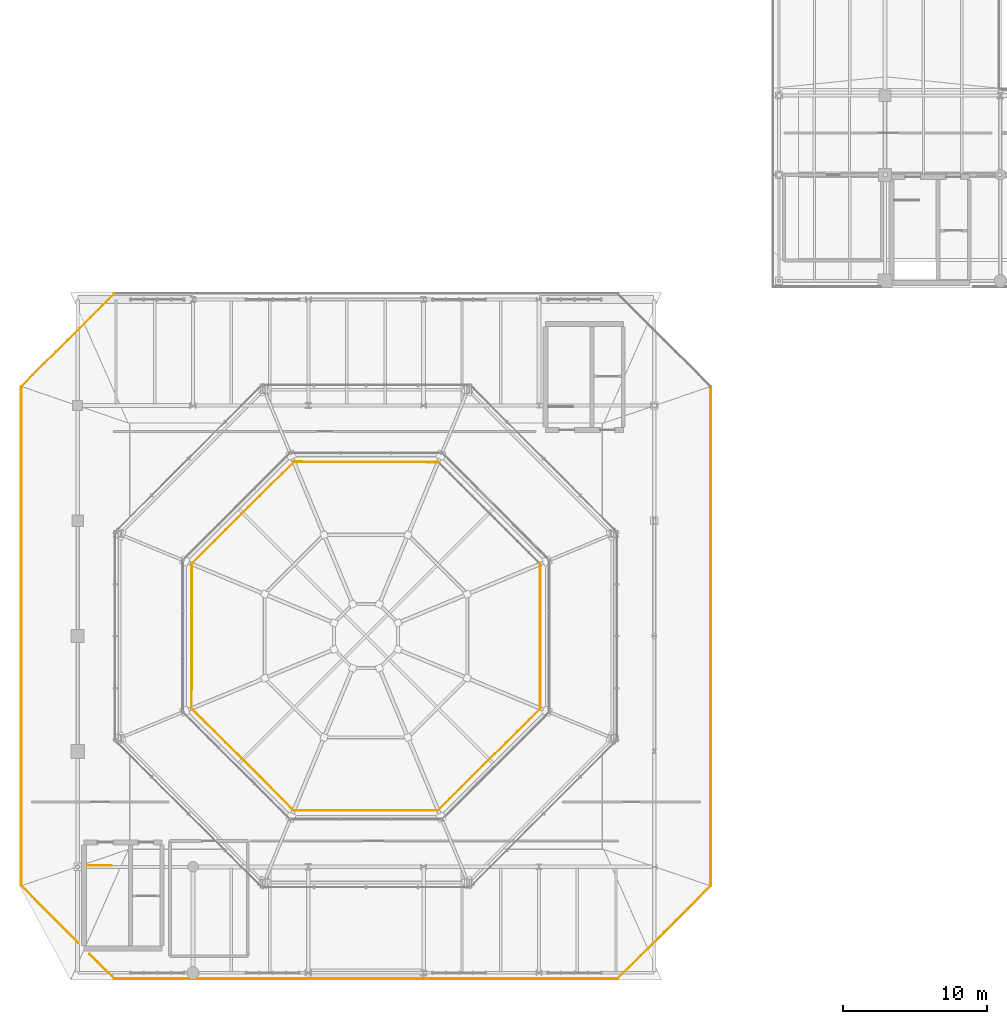
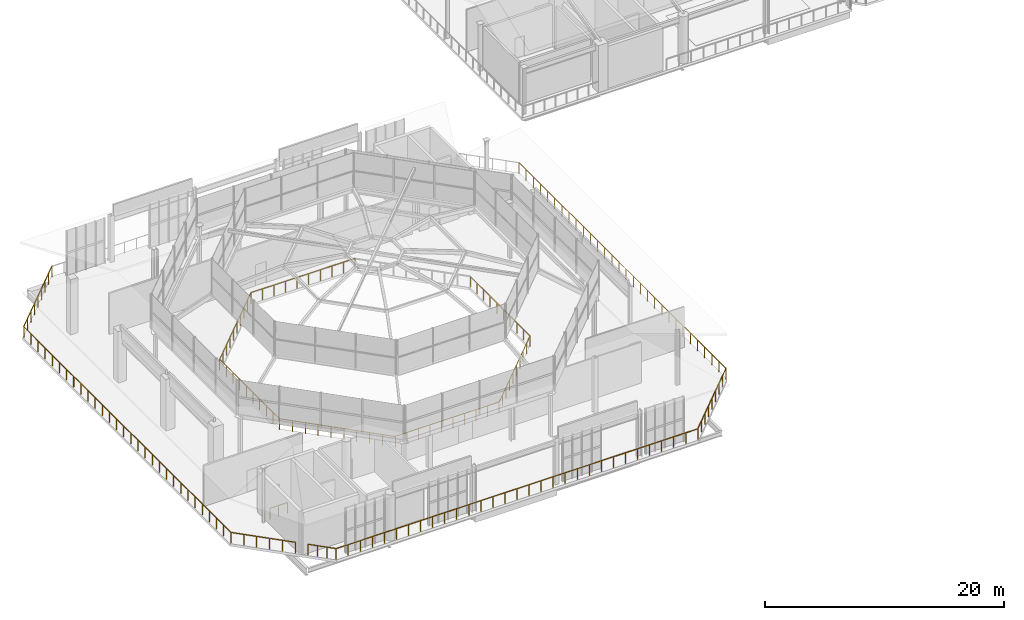
# One storey, part 28 of 30: 15 railings.
"""IFC4 building model written with IfcOpenShell, lengths in metres."""

from ifc_helpers import new_model, si_unit, direction, frame, origin, origin_2d, place, context, subcontext, project, spatial, circle, extrude, material, type_object, element, save


model = new_model("IFC4")

# Units and contexts
model_context = context("Model", 3, precision=1e-05, world=origin(), true_north=direction((0.0, 1.0)))
body_context = subcontext(model_context, "Body", "Model", "MODEL_VIEW")
ifc_project = project(units=[si_unit("LENGTHUNIT", "METRE"), si_unit("AREAUNIT", "SQUARE_METRE"), si_unit("VOLUMEUNIT", "CUBIC_METRE"), si_unit("PLANEANGLEUNIT", "RADIAN"), si_unit("MASSUNIT", "GRAM", prefix="KILO")], contexts=[model_context])

# Site, building, storey
site_placement = place(None, origin())
site = spatial("IfcSite", under=ifc_project, at=site_placement, CompositionType="ELEMENT")
building_placement = place(site_placement, origin())
building = spatial("IfcBuilding", under=site, at=building_placement, Name="Brisemont Oceanarium", CompositionType="ELEMENT")
storey_placement = place(building_placement, frame((0.0, 0.0, 19.800048828125)))
storey = spatial("IfcBuildingStorey", under=building, at=storey_placement, Name="L04", CompositionType="ELEMENT", Elevation=19.800048828125)

# Railings
ifc_material_1 = material(Name="Beaux-Arts Limestone Balustrade Precast Concrete C40/50", Category="masonry")
railing_type_1 = type_object("IfcRailingType", Name="RLG-BAL-1140", PredefinedType="BALUSTRADE", material=ifc_material_1)
railing_1_placement = place(storey_placement, frame((60.090087890625, 73.312744140625, 0.0)))
element("IfcRailing", 1, at=railing_1_placement, inside=storey, type_object=railing_type_1, Name="L04 slab perimeter safety guard 252", PredefinedType="BALUSTRADE", context=body_context, shape_type="SweptSolid", body=[
    extrude(circle(Radius=0.02392578125, at=origin_2d()), frame((0.0, 0.0, 1.11572265625), z_axis=(0.707106781187, 0.707106781187, 0.0), x_axis=(-0.707106781187, 0.707106781187, 0.0)), (0.0, 0.0, 1.0), 9.117919921875),
    extrude(circle(Radius=0.02099609375, at=origin_2d()), origin(), (0.0, 0.0, 1.0), 1.091796875),
    extrude(circle(Radius=0.02099609375, at=origin_2d()), frame((0.805908203125, 0.805908203125, 0.0)), (0.0, 0.0, 1.0), 1.091796875),
    extrude(circle(Radius=0.02099609375, at=origin_2d()), frame((1.61181640625, 1.61181640625, 0.0)), (0.0, 0.0, 1.0), 1.091796875),
    extrude(circle(Radius=0.02099609375, at=origin_2d()), frame((2.417724609375, 2.417724609375, 0.0)), (0.0, 0.0, 1.0), 1.091796875),
    extrude(circle(Radius=0.02099609375, at=origin_2d()), frame((3.2236328125, 3.2236328125, 0.0)), (0.0, 0.0, 1.0), 1.091796875),
    extrude(circle(Radius=0.02099609375, at=origin_2d()), frame((4.029541015625, 4.029541015625, 0.0)), (0.0, 0.0, 1.0), 1.091796875),
    extrude(circle(Radius=0.02099609375, at=origin_2d()), frame((4.83544921875, 4.83544921875, 0.0)), (0.0, 0.0, 1.0), 1.091796875),
    extrude(circle(Radius=0.02099609375, at=origin_2d()), frame((5.641357421875, 5.641357421875, 0.0)), (0.0, 0.0, 1.0), 1.091796875),
    extrude(circle(Radius=0.02099609375, at=origin_2d()), frame((6.447265625, 6.447265625, 0.0)), (0.0, 0.0, 1.0), 1.091796875),
])
railing_2_placement = place(storey_placement, frame((107.909912109375, 38.687255859375, 0.0)))
element("IfcRailing", 2, at=railing_2_placement, inside=storey, type_object=railing_type_1, Name="L04 slab perimeter safety guard 256", PredefinedType="BALUSTRADE", context=body_context, shape_type="SweptSolid", body=[
    extrude(circle(Radius=0.02392578125, at=origin_2d()), frame((0.0, 0.0, 1.11572265625), z_axis=(-0.707106781187, -0.707106781187, 0.0), x_axis=(0.707106781187, -0.707106781187, 0.0)), (0.0, 0.0, 1.0), 9.117919921875),
    extrude(circle(Radius=0.02099609375, at=origin_2d()), origin(), (0.0, 0.0, 1.0), 1.091796875),
    extrude(circle(Radius=0.02099609375, at=origin_2d()), frame((-0.805908203125, -0.805908203125, 0.0)), (0.0, 0.0, 1.0), 1.091796875),
    extrude(circle(Radius=0.02099609375, at=origin_2d()), frame((-1.61181640625, -1.61181640625, 0.0)), (0.0, 0.0, 1.0), 1.091796875),
    extrude(circle(Radius=0.02099609375, at=origin_2d()), frame((-2.417724609375, -2.417724609375, 0.0)), (0.0, 0.0, 1.0), 1.091796875),
    extrude(circle(Radius=0.02099609375, at=origin_2d()), frame((-3.2236328125, -3.2236328125, 0.0)), (0.0, 0.0, 1.0), 1.091796875),
    extrude(circle(Radius=0.02099609375, at=origin_2d()), frame((-4.029541015625, -4.029541015625, 0.0)), (0.0, 0.0, 1.0), 1.091796875),
    extrude(circle(Radius=0.02099609375, at=origin_2d()), frame((-4.83544921875, -4.83544921875, 0.0)), (0.0, 0.0, 1.0), 1.091796875),
    extrude(circle(Radius=0.02099609375, at=origin_2d()), frame((-5.641357421875, -5.641357421875, 0.0)), (0.0, 0.0, 1.0), 1.091796875),
    extrude(circle(Radius=0.02099609375, at=origin_2d()), frame((-6.447265625, -6.447265625, 0.0)), (0.0, 0.0, 1.0), 1.091796875),
])
railing_3_placement = place(storey_placement, frame((89.04443359375, 68.068115234375, 0.0)))
element("IfcRailing", 3, at=railing_3_placement, inside=storey, type_object=railing_type_1, Name="L04 slab perimeter safety guard 260", PredefinedType="BALUSTRADE", context=body_context, shape_type="SweptSolid", body=[
    extrude(circle(Radius=0.02392578125, at=origin_2d()), frame((0.0, 0.0, 1.11572265625), z_axis=(-0.999996808001, 0.002526655524, 0.0), x_axis=(-0.002526655524, -0.999996808001, 0.0)), (0.0, 0.0, 1.0), 10.049072265625),
    extrude(circle(Radius=0.02099609375, at=origin_2d()), origin(), (0.0, 0.0, 1.0), 1.091796875),
    extrude(circle(Radius=0.02099609375, at=origin_2d()), frame((-1.116455078125, 0.0029296875, 0.0)), (0.0, 0.0, 1.0), 1.091796875),
    extrude(circle(Radius=0.02099609375, at=origin_2d()), frame((-2.233154296875, 0.005615234375, 0.0)), (0.0, 0.0, 1.0), 1.091796875),
    extrude(circle(Radius=0.02099609375, at=origin_2d()), frame((-3.349609375, 0.008544921875, 0.0)), (0.0, 0.0, 1.0), 1.091796875),
    extrude(circle(Radius=0.02099609375, at=origin_2d()), frame((-4.46630859375, 0.01123046875, 0.0)), (0.0, 0.0, 1.0), 1.091796875),
    extrude(circle(Radius=0.02099609375, at=origin_2d()), frame((-5.582763671875, 0.01416015625, 0.0)), (0.0, 0.0, 1.0), 1.091796875),
    extrude(circle(Radius=0.02099609375, at=origin_2d()), frame((-6.699462890625, 0.016845703125, 0.0)), (0.0, 0.0, 1.0), 1.091796875),
    extrude(circle(Radius=0.02099609375, at=origin_2d()), frame((-7.81591796875, 0.019775390625, 0.0)), (0.0, 0.0, 1.0), 1.091796875),
    extrude(circle(Radius=0.02099609375, at=origin_2d()), frame((-8.9326171875, 0.0224609375, 0.0)), (0.0, 0.0, 1.0), 1.091796875),
    extrude(circle(Radius=0.02099609375, at=origin_2d()), frame((-10.049072265625, 0.025390625, 0.0)), (0.0, 0.0, 1.0), 1.091796875),
])
railing_4_placement = place(storey_placement, frame((78.9873046875, 43.909912109375, 0.0)))
element("IfcRailing", 4, at=railing_4_placement, inside=storey, type_object=railing_type_1, Name="L04 slab perimeter safety guard 264", PredefinedType="BALUSTRADE", context=body_context, shape_type="SweptSolid", body=[
    extrude(circle(Radius=0.02392578125, at=origin_2d()), frame((0.0, 0.0, 1.11572265625), z_axis=(0.999999941789, -0.00034120541, 0.0), x_axis=(0.00034120541, 0.999999941789, 0.0)), (0.0, 0.0, 1.0), 10.017333984375),
    extrude(circle(Radius=0.02099609375, at=origin_2d()), origin(), (0.0, 0.0, 1.0), 1.091796875),
    extrude(circle(Radius=0.02099609375, at=origin_2d()), frame((1.113037109375, -0.00048828125, 0.0)), (0.0, 0.0, 1.0), 1.091796875),
    extrude(circle(Radius=0.02099609375, at=origin_2d()), frame((2.22607421875, -0.000732421875, 0.0)), (0.0, 0.0, 1.0), 1.091796875),
    extrude(circle(Radius=0.02099609375, at=origin_2d()), frame((3.339111328125, -0.001220703125, 0.0)), (0.0, 0.0, 1.0), 1.091796875),
    extrude(circle(Radius=0.02099609375, at=origin_2d()), frame((4.4521484375, -0.00146484375, 0.0)), (0.0, 0.0, 1.0), 1.091796875),
    extrude(circle(Radius=0.02099609375, at=origin_2d()), frame((5.565185546875, -0.001953125, 0.0)), (0.0, 0.0, 1.0), 1.091796875),
    extrude(circle(Radius=0.02099609375, at=origin_2d()), frame((6.67822265625, -0.002197265625, 0.0)), (0.0, 0.0, 1.0), 1.091796875),
    extrude(circle(Radius=0.02099609375, at=origin_2d()), frame((7.791259765625, -0.002685546875, 0.0)), (0.0, 0.0, 1.0), 1.091796875),
    extrude(circle(Radius=0.02099609375, at=origin_2d()), frame((8.904296875, -0.0029296875, 0.0)), (0.0, 0.0, 1.0), 1.091796875),
    extrude(circle(Radius=0.02099609375, at=origin_2d()), frame((10.017333984375, -0.00341796875, 0.0)), (0.0, 0.0, 1.0), 1.091796875),
])
ifc_material_2 = material(Name="Duplex Stainless Steel EN 1.4462", Category="steel")
railing_type_2 = type_object("IfcRailingType", Name="RLG-GUARD-1120", PredefinedType="GUARDRAIL", material=ifc_material_2)
railing_5_placement = place(storey_placement, frame((64.669921875, 40.090087890625, 0.0)))
element("IfcRailing", 5, at=railing_5_placement, inside=storey, type_object=railing_type_2, Name="ST-01 L04 landing edge guard", PredefinedType="GUARDRAIL", context=body_context, shape_type="SweptSolid", body=[
    extrude(circle(Radius=0.02392578125, at=origin_2d()), frame((0.0, 0.0, 1.09619140625), z_axis=(1.0, 0.0, 0.0), x_axis=(0.0, 1.0, 0.0)), (0.0, 0.0, 1.0), 1.68017578125),
    extrude(circle(Radius=0.02099609375, at=origin_2d()), origin(), (0.0, 0.0, 1.0), 1.072021484375),
    extrude(circle(Radius=0.02099609375, at=origin_2d()), frame((0.840087890625, 0.0, 0.0)), (0.0, 0.0, 1.0), 1.072021484375),
    extrude(circle(Radius=0.02099609375, at=origin_2d()), frame((1.68017578125, 0.0, 0.0)), (0.0, 0.0, 1.0), 1.072021484375),
])
railing_6_placement = place(storey_placement, frame((60.090087890625, 38.687255859375, 0.0)))
element("IfcRailing", 6, at=railing_6_placement, inside=storey, type_object=railing_type_2, Name="L04 slab perimeter safety guard 251", PredefinedType="GUARDRAIL", context=body_context, shape_type="SweptSolid", body=[
    extrude(circle(Radius=0.02392578125, at=origin_2d()), frame((0.0, 0.0, 1.09619140625), z_axis=(0.0, 1.0, 0.0), x_axis=(-1.0, 0.0, 0.0)), (0.0, 0.0, 1.0), 34.62548828125),
    extrude(circle(Radius=0.02099609375, at=origin_2d()), origin(), (0.0, 0.0, 1.0), 1.072021484375),
    extrude(circle(Radius=0.02099609375, at=origin_2d()), frame((0.0, 1.194091796875, 0.0)), (0.0, 0.0, 1.0), 1.072021484375),
    extrude(circle(Radius=0.02099609375, at=origin_2d()), frame((0.0, 2.387939453125, 0.0)), (0.0, 0.0, 1.0), 1.072021484375),
    extrude(circle(Radius=0.02099609375, at=origin_2d()), frame((0.0, 3.58203125, 0.0)), (0.0, 0.0, 1.0), 1.072021484375),
    extrude(circle(Radius=0.02099609375, at=origin_2d()), frame((0.0, 4.77587890625, 0.0)), (0.0, 0.0, 1.0), 1.072021484375),
    extrude(circle(Radius=0.02099609375, at=origin_2d()), frame((0.0, 5.969970703125, 0.0)), (0.0, 0.0, 1.0), 1.072021484375),
    extrude(circle(Radius=0.02099609375, at=origin_2d()), frame((0.0, 7.163818359375, 0.0)), (0.0, 0.0, 1.0), 1.072021484375),
    extrude(circle(Radius=0.02099609375, at=origin_2d()), frame((0.0, 8.35791015625, 0.0)), (0.0, 0.0, 1.0), 1.072021484375),
    extrude(circle(Radius=0.02099609375, at=origin_2d()), frame((0.0, 9.5517578125, 0.0)), (0.0, 0.0, 1.0), 1.072021484375),
    extrude(circle(Radius=0.02099609375, at=origin_2d()), frame((0.0, 10.745849609375, 0.0)), (0.0, 0.0, 1.0), 1.072021484375),
    extrude(circle(Radius=0.02099609375, at=origin_2d()), frame((0.0, 11.93994140625, 0.0)), (0.0, 0.0, 1.0), 1.072021484375),
    extrude(circle(Radius=0.02099609375, at=origin_2d()), frame((0.0, 13.1337890625, 0.0)), (0.0, 0.0, 1.0), 1.072021484375),
    extrude(circle(Radius=0.02099609375, at=origin_2d()), frame((0.0, 14.327880859375, 0.0)), (0.0, 0.0, 1.0), 1.072021484375),
    extrude(circle(Radius=0.02099609375, at=origin_2d()), frame((0.0, 15.521728515625, 0.0)), (0.0, 0.0, 1.0), 1.072021484375),
    extrude(circle(Radius=0.02099609375, at=origin_2d()), frame((0.0, 16.7158203125, 0.0)), (0.0, 0.0, 1.0), 1.072021484375),
    extrude(circle(Radius=0.02099609375, at=origin_2d()), frame((0.0, 17.90966796875, 0.0)), (0.0, 0.0, 1.0), 1.072021484375),
    extrude(circle(Radius=0.02099609375, at=origin_2d()), frame((0.0, 19.103759765625, 0.0)), (0.0, 0.0, 1.0), 1.072021484375),
    extrude(circle(Radius=0.02099609375, at=origin_2d()), frame((0.0, 20.297607421875, 0.0)), (0.0, 0.0, 1.0), 1.072021484375),
    extrude(circle(Radius=0.02099609375, at=origin_2d()), frame((0.0, 21.49169921875, 0.0)), (0.0, 0.0, 1.0), 1.072021484375),
    extrude(circle(Radius=0.02099609375, at=origin_2d()), frame((0.0, 22.685546875, 0.0)), (0.0, 0.0, 1.0), 1.072021484375),
    extrude(circle(Radius=0.02099609375, at=origin_2d()), frame((0.0, 23.879638671875, 0.0)), (0.0, 0.0, 1.0), 1.072021484375),
    extrude(circle(Radius=0.02099609375, at=origin_2d()), frame((0.0, 25.07373046875, 0.0)), (0.0, 0.0, 1.0), 1.072021484375),
    extrude(circle(Radius=0.02099609375, at=origin_2d()), frame((0.0, 26.267578125, 0.0)), (0.0, 0.0, 1.0), 1.072021484375),
    extrude(circle(Radius=0.02099609375, at=origin_2d()), frame((0.0, 27.461669921875, 0.0)), (0.0, 0.0, 1.0), 1.072021484375),
    extrude(circle(Radius=0.02099609375, at=origin_2d()), frame((0.0, 28.655517578125, 0.0)), (0.0, 0.0, 1.0), 1.072021484375),
    extrude(circle(Radius=0.02099609375, at=origin_2d()), frame((0.0, 29.849609375, 0.0)), (0.0, 0.0, 1.0), 1.072021484375),
    extrude(circle(Radius=0.02099609375, at=origin_2d()), frame((0.0, 31.04345703125, 0.0)), (0.0, 0.0, 1.0), 1.072021484375),
    extrude(circle(Radius=0.02099609375, at=origin_2d()), frame((0.0, 32.237548828125, 0.0)), (0.0, 0.0, 1.0), 1.072021484375),
    extrude(circle(Radius=0.02099609375, at=origin_2d()), frame((0.0, 33.431396484375, 0.0)), (0.0, 0.0, 1.0), 1.072021484375),
    extrude(circle(Radius=0.02099609375, at=origin_2d()), frame((0.0, 34.62548828125, 0.0)), (0.0, 0.0, 1.0), 1.072021484375),
])
railing_7_placement = place(storey_placement, frame((107.909912109375, 73.312744140625, 0.0)))
element("IfcRailing", 7, at=railing_7_placement, inside=storey, type_object=railing_type_2, Name="L04 slab perimeter safety guard 255", PredefinedType="GUARDRAIL", context=body_context, shape_type="SweptSolid", body=[
    extrude(circle(Radius=0.02392578125, at=origin_2d()), frame((0.0, 0.0, 1.09619140625), z_axis=(0.0, -1.0, 0.0), x_axis=(1.0, 0.0, 0.0)), (0.0, 0.0, 1.0), 34.62548828125),
    extrude(circle(Radius=0.02099609375, at=origin_2d()), origin(), (0.0, 0.0, 1.0), 1.072021484375),
    extrude(circle(Radius=0.02099609375, at=origin_2d()), frame((0.0, -1.194091796875, 0.0)), (0.0, 0.0, 1.0), 1.072021484375),
    extrude(circle(Radius=0.02099609375, at=origin_2d()), frame((0.0, -2.387939453125, 0.0)), (0.0, 0.0, 1.0), 1.072021484375),
    extrude(circle(Radius=0.02099609375, at=origin_2d()), frame((0.0, -3.58203125, 0.0)), (0.0, 0.0, 1.0), 1.072021484375),
    extrude(circle(Radius=0.02099609375, at=origin_2d()), frame((0.0, -4.77587890625, 0.0)), (0.0, 0.0, 1.0), 1.072021484375),
    extrude(circle(Radius=0.02099609375, at=origin_2d()), frame((0.0, -5.969970703125, 0.0)), (0.0, 0.0, 1.0), 1.072021484375),
    extrude(circle(Radius=0.02099609375, at=origin_2d()), frame((0.0, -7.163818359375, 0.0)), (0.0, 0.0, 1.0), 1.072021484375),
    extrude(circle(Radius=0.02099609375, at=origin_2d()), frame((0.0, -8.35791015625, 0.0)), (0.0, 0.0, 1.0), 1.072021484375),
    extrude(circle(Radius=0.02099609375, at=origin_2d()), frame((0.0, -9.5517578125, 0.0)), (0.0, 0.0, 1.0), 1.072021484375),
    extrude(circle(Radius=0.02099609375, at=origin_2d()), frame((0.0, -10.745849609375, 0.0)), (0.0, 0.0, 1.0), 1.072021484375),
    extrude(circle(Radius=0.02099609375, at=origin_2d()), frame((0.0, -11.93994140625, 0.0)), (0.0, 0.0, 1.0), 1.072021484375),
    extrude(circle(Radius=0.02099609375, at=origin_2d()), frame((0.0, -13.1337890625, 0.0)), (0.0, 0.0, 1.0), 1.072021484375),
    extrude(circle(Radius=0.02099609375, at=origin_2d()), frame((0.0, -14.327880859375, 0.0)), (0.0, 0.0, 1.0), 1.072021484375),
    extrude(circle(Radius=0.02099609375, at=origin_2d()), frame((0.0, -15.521728515625, 0.0)), (0.0, 0.0, 1.0), 1.072021484375),
    extrude(circle(Radius=0.02099609375, at=origin_2d()), frame((0.0, -16.7158203125, 0.0)), (0.0, 0.0, 1.0), 1.072021484375),
    extrude(circle(Radius=0.02099609375, at=origin_2d()), frame((0.0, -17.90966796875, 0.0)), (0.0, 0.0, 1.0), 1.072021484375),
    extrude(circle(Radius=0.02099609375, at=origin_2d()), frame((0.0, -19.103759765625, 0.0)), (0.0, 0.0, 1.0), 1.072021484375),
    extrude(circle(Radius=0.02099609375, at=origin_2d()), frame((0.0, -20.297607421875, 0.0)), (0.0, 0.0, 1.0), 1.072021484375),
    extrude(circle(Radius=0.02099609375, at=origin_2d()), frame((0.0, -21.49169921875, 0.0)), (0.0, 0.0, 1.0), 1.072021484375),
    extrude(circle(Radius=0.02099609375, at=origin_2d()), frame((0.0, -22.685546875, 0.0)), (0.0, 0.0, 1.0), 1.072021484375),
    extrude(circle(Radius=0.02099609375, at=origin_2d()), frame((0.0, -23.879638671875, 0.0)), (0.0, 0.0, 1.0), 1.072021484375),
    extrude(circle(Radius=0.02099609375, at=origin_2d()), frame((0.0, -25.07373046875, 0.0)), (0.0, 0.0, 1.0), 1.072021484375),
    extrude(circle(Radius=0.02099609375, at=origin_2d()), frame((0.0, -26.267578125, 0.0)), (0.0, 0.0, 1.0), 1.072021484375),
    extrude(circle(Radius=0.02099609375, at=origin_2d()), frame((0.0, -27.461669921875, 0.0)), (0.0, 0.0, 1.0), 1.072021484375),
    extrude(circle(Radius=0.02099609375, at=origin_2d()), frame((0.0, -28.655517578125, 0.0)), (0.0, 0.0, 1.0), 1.072021484375),
    extrude(circle(Radius=0.02099609375, at=origin_2d()), frame((0.0, -29.849609375, 0.0)), (0.0, 0.0, 1.0), 1.072021484375),
    extrude(circle(Radius=0.02099609375, at=origin_2d()), frame((0.0, -31.04345703125, 0.0)), (0.0, 0.0, 1.0), 1.072021484375),
    extrude(circle(Radius=0.02099609375, at=origin_2d()), frame((0.0, -32.237548828125, 0.0)), (0.0, 0.0, 1.0), 1.072021484375),
    extrude(circle(Radius=0.02099609375, at=origin_2d()), frame((0.0, -33.431396484375, 0.0)), (0.0, 0.0, 1.0), 1.072021484375),
    extrude(circle(Radius=0.02099609375, at=origin_2d()), frame((0.0, -34.62548828125, 0.0)), (0.0, 0.0, 1.0), 1.072021484375),
])
railing_8_placement = place(storey_placement, frame((101.462646484375, 32.239990234375, 0.0)))
element("IfcRailing", 8, at=railing_8_placement, inside=storey, type_object=railing_type_2, Name="L04 slab perimeter safety guard 257", PredefinedType="GUARDRAIL", context=body_context, shape_type="SweptSolid", body=[
    extrude(circle(Radius=0.02392578125, at=origin_2d()), frame((0.0, 0.0, 1.09619140625), z_axis=(-1.0, 0.0, 0.0), x_axis=(0.0, -1.0, 0.0)), (0.0, 0.0, 1.0), 34.92529296875),
    extrude(circle(Radius=0.02099609375, at=origin_2d()), origin(), (0.0, 0.0, 1.0), 1.072021484375),
    extrude(circle(Radius=0.02099609375, at=origin_2d()), frame((-1.1640625, 0.0, 0.0)), (0.0, 0.0, 1.0), 1.072021484375),
    extrude(circle(Radius=0.02099609375, at=origin_2d()), frame((-2.328369140625, 0.0, 0.0)), (0.0, 0.0, 1.0), 1.072021484375),
    extrude(circle(Radius=0.02099609375, at=origin_2d()), frame((-3.492431640625, 0.0, 0.0)), (0.0, 0.0, 1.0), 1.072021484375),
    extrude(circle(Radius=0.02099609375, at=origin_2d()), frame((-4.65673828125, 0.0, 0.0)), (0.0, 0.0, 1.0), 1.072021484375),
    extrude(circle(Radius=0.02099609375, at=origin_2d()), frame((-5.82080078125, 0.0, 0.0)), (0.0, 0.0, 1.0), 1.072021484375),
    extrude(circle(Radius=0.02099609375, at=origin_2d()), frame((-6.985107421875, 0.0, 0.0)), (0.0, 0.0, 1.0), 1.072021484375),
    extrude(circle(Radius=0.02099609375, at=origin_2d()), frame((-8.149169921875, 0.0, 0.0)), (0.0, 0.0, 1.0), 1.072021484375),
    extrude(circle(Radius=0.02099609375, at=origin_2d()), frame((-9.3134765625, 0.0, 0.0)), (0.0, 0.0, 1.0), 1.072021484375),
    extrude(circle(Radius=0.02099609375, at=origin_2d()), frame((-10.4775390625, 0.0, 0.0)), (0.0, 0.0, 1.0), 1.072021484375),
    extrude(circle(Radius=0.02099609375, at=origin_2d()), frame((-11.641845703125, 0.0, 0.0)), (0.0, 0.0, 1.0), 1.072021484375),
    extrude(circle(Radius=0.02099609375, at=origin_2d()), frame((-12.805908203125, 0.0, 0.0)), (0.0, 0.0, 1.0), 1.072021484375),
    extrude(circle(Radius=0.02099609375, at=origin_2d()), frame((-13.97021484375, 0.0, 0.0)), (0.0, 0.0, 1.0), 1.072021484375),
    extrude(circle(Radius=0.02099609375, at=origin_2d()), frame((-15.13427734375, 0.0, 0.0)), (0.0, 0.0, 1.0), 1.072021484375),
    extrude(circle(Radius=0.02099609375, at=origin_2d()), frame((-16.298583984375, 0.0, 0.0)), (0.0, 0.0, 1.0), 1.072021484375),
    extrude(circle(Radius=0.02099609375, at=origin_2d()), frame((-17.462646484375, 0.0, 0.0)), (0.0, 0.0, 1.0), 1.072021484375),
    extrude(circle(Radius=0.02099609375, at=origin_2d()), frame((-18.626708984375, 0.0, 0.0)), (0.0, 0.0, 1.0), 1.072021484375),
    extrude(circle(Radius=0.02099609375, at=origin_2d()), frame((-19.791015625, 0.0, 0.0)), (0.0, 0.0, 1.0), 1.072021484375),
    extrude(circle(Radius=0.02099609375, at=origin_2d()), frame((-20.955078125, 0.0, 0.0)), (0.0, 0.0, 1.0), 1.072021484375),
    extrude(circle(Radius=0.02099609375, at=origin_2d()), frame((-22.119384765625, 0.0, 0.0)), (0.0, 0.0, 1.0), 1.072021484375),
    extrude(circle(Radius=0.02099609375, at=origin_2d()), frame((-23.283447265625, 0.0, 0.0)), (0.0, 0.0, 1.0), 1.072021484375),
    extrude(circle(Radius=0.02099609375, at=origin_2d()), frame((-24.44775390625, 0.0, 0.0)), (0.0, 0.0, 1.0), 1.072021484375),
    extrude(circle(Radius=0.02099609375, at=origin_2d()), frame((-25.61181640625, 0.0, 0.0)), (0.0, 0.0, 1.0), 1.072021484375),
    extrude(circle(Radius=0.02099609375, at=origin_2d()), frame((-26.776123046875, 0.0, 0.0)), (0.0, 0.0, 1.0), 1.072021484375),
    extrude(circle(Radius=0.02099609375, at=origin_2d()), frame((-27.940185546875, 0.0, 0.0)), (0.0, 0.0, 1.0), 1.072021484375),
    extrude(circle(Radius=0.02099609375, at=origin_2d()), frame((-29.1044921875, 0.0, 0.0)), (0.0, 0.0, 1.0), 1.072021484375),
    extrude(circle(Radius=0.02099609375, at=origin_2d()), frame((-30.2685546875, 0.0, 0.0)), (0.0, 0.0, 1.0), 1.072021484375),
    extrude(circle(Radius=0.02099609375, at=origin_2d()), frame((-31.432861328125, 0.0, 0.0)), (0.0, 0.0, 1.0), 1.072021484375),
    extrude(circle(Radius=0.02099609375, at=origin_2d()), frame((-32.596923828125, 0.0, 0.0)), (0.0, 0.0, 1.0), 1.072021484375),
    extrude(circle(Radius=0.02099609375, at=origin_2d()), frame((-33.76123046875, 0.0, 0.0)), (0.0, 0.0, 1.0), 1.072021484375),
    extrude(circle(Radius=0.02099609375, at=origin_2d()), frame((-34.92529296875, 0.0, 0.0)), (0.0, 0.0, 1.0), 1.072021484375),
])
railing_9_placement = place(storey_placement, frame((66.537353515625, 32.239990234375, 0.0)))
element("IfcRailing", 9, at=railing_9_placement, inside=storey, type_object=railing_type_2, Name="L04 slab perimeter safety guard 258", PredefinedType="GUARDRAIL", context=body_context, shape_type="SweptSolid", body=[
    extrude(circle(Radius=0.02392578125, at=origin_2d()), frame((0.0, 0.0, 1.09619140625), z_axis=(-0.707106781187, 0.707106781187, 0.0), x_axis=(-0.707106781187, -0.707106781187, 0.0)), (0.0, 0.0, 1.0), 2.425537109375),
    extrude(circle(Radius=0.02099609375, at=origin_2d()), origin(), (0.0, 0.0, 1.0), 1.072021484375),
    extrude(circle(Radius=0.02099609375, at=origin_2d()), frame((-0.57177734375, 0.57177734375, 0.0)), (0.0, 0.0, 1.0), 1.072021484375),
    extrude(circle(Radius=0.02099609375, at=origin_2d()), frame((-1.143310546875, 1.143310546875, 0.0)), (0.0, 0.0, 1.0), 1.072021484375),
    extrude(circle(Radius=0.02099609375, at=origin_2d()), frame((-1.715087890625, 1.715087890625, 0.0)), (0.0, 0.0, 1.0), 1.072021484375),
])
railing_10_placement = place(storey_placement, frame((64.054931640625, 34.722412109375, 0.0)))
element("IfcRailing", 10, at=railing_10_placement, inside=storey, type_object=railing_type_2, Name="L04 slab perimeter safety guard 259", PredefinedType="GUARDRAIL", context=body_context, shape_type="SweptSolid", body=[
    extrude(circle(Radius=0.02392578125, at=origin_2d()), frame((0.0, 0.0, 1.09619140625), z_axis=(-0.707106781187, 0.707106781187, 0.0), x_axis=(-0.707106781187, -0.707106781187, 0.0)), (0.0, 0.0, 1.0), 5.607177734375),
    extrude(circle(Radius=0.02099609375, at=origin_2d()), origin(), (0.0, 0.0, 1.0), 1.072021484375),
    extrude(circle(Radius=0.02099609375, at=origin_2d()), frame((-0.79296875, 0.79296875, 0.0)), (0.0, 0.0, 1.0), 1.072021484375),
    extrude(circle(Radius=0.02099609375, at=origin_2d()), frame((-1.5859375, 1.5859375, 0.0)), (0.0, 0.0, 1.0), 1.072021484375),
    extrude(circle(Radius=0.02099609375, at=origin_2d()), frame((-2.37890625, 2.37890625, 0.0)), (0.0, 0.0, 1.0), 1.072021484375),
    extrude(circle(Radius=0.02099609375, at=origin_2d()), frame((-3.171875, 3.171875, 0.0)), (0.0, 0.0, 1.0), 1.072021484375),
    extrude(circle(Radius=0.02099609375, at=origin_2d()), frame((-3.96484375, 3.96484375, 0.0)), (0.0, 0.0, 1.0), 1.072021484375),
])
railing_11_placement = place(storey_placement, frame((78.995361328125, 68.093505859375, 0.0)))
element("IfcRailing", 11, at=railing_11_placement, inside=storey, type_object=railing_type_2, Name="L04 slab perimeter safety guard 261", PredefinedType="GUARDRAIL", context=body_context, shape_type="SweptSolid", body=[
    extrude(circle(Radius=0.02392578125, at=origin_2d()), frame((0.0, 0.0, 1.09619140625), z_axis=(-0.707338281893, -0.706875204664, 0.0), x_axis=(0.706875204664, -0.707338281893, 0.0)), (0.0, 0.0, 1.0), 10.01708984375),
    extrude(circle(Radius=0.02099609375, at=origin_2d()), origin(), (0.0, 0.0, 1.0), 1.072021484375),
    extrude(circle(Radius=0.02099609375, at=origin_2d()), frame((-0.787353515625, -0.786865234375, 0.0)), (0.0, 0.0, 1.0), 1.072021484375),
    extrude(circle(Radius=0.02099609375, at=origin_2d()), frame((-1.574462890625, -1.573486328125, 0.0)), (0.0, 0.0, 1.0), 1.072021484375),
    extrude(circle(Radius=0.02099609375, at=origin_2d()), frame((-2.36181640625, -2.3603515625, 0.0)), (0.0, 0.0, 1.0), 1.072021484375),
    extrude(circle(Radius=0.02099609375, at=origin_2d()), frame((-3.149169921875, -3.14697265625, 0.0)), (0.0, 0.0, 1.0), 1.072021484375),
    extrude(circle(Radius=0.02099609375, at=origin_2d()), frame((-3.936279296875, -3.933837890625, 0.0)), (0.0, 0.0, 1.0), 1.072021484375),
    extrude(circle(Radius=0.02099609375, at=origin_2d()), frame((-4.7236328125, -4.720458984375, 0.0)), (0.0, 0.0, 1.0), 1.072021484375),
    extrude(circle(Radius=0.02099609375, at=origin_2d()), frame((-5.510986328125, -5.50732421875, 0.0)), (0.0, 0.0, 1.0), 1.072021484375),
    extrude(circle(Radius=0.02099609375, at=origin_2d()), frame((-6.298095703125, -6.2939453125, 0.0)), (0.0, 0.0, 1.0), 1.072021484375),
    extrude(circle(Radius=0.02099609375, at=origin_2d()), frame((-7.08544921875, -7.080810546875, 0.0)), (0.0, 0.0, 1.0), 1.072021484375),
])
railing_12_placement = place(storey_placement, frame((71.909912109375, 61.0126953125, 0.0)))
element("IfcRailing", 12, at=railing_12_placement, inside=storey, type_object=railing_type_2, Name="L04 slab perimeter safety guard 262", PredefinedType="GUARDRAIL", context=body_context, shape_type="SweptSolid", body=[
    extrude(circle(Radius=0.02392578125, at=origin_2d()), frame((0.0, 0.0, 1.09619140625), z_axis=(-0.00034120541, -0.999999941789, 0.0), x_axis=(0.999999941789, -0.00034120541, 0.0)), (0.0, 0.0, 1.0), 10.017333984375),
    extrude(circle(Radius=0.02099609375, at=origin_2d()), origin(), (0.0, 0.0, 1.0), 1.072021484375),
    extrude(circle(Radius=0.02099609375, at=origin_2d()), frame((-0.00048828125, -1.113037109375, 0.0)), (0.0, 0.0, 1.0), 1.072021484375),
    extrude(circle(Radius=0.02099609375, at=origin_2d()), frame((-0.000732421875, -2.22607421875, 0.0)), (0.0, 0.0, 1.0), 1.072021484375),
    extrude(circle(Radius=0.02099609375, at=origin_2d()), frame((-0.001220703125, -3.339111328125, 0.0)), (0.0, 0.0, 1.0), 1.072021484375),
    extrude(circle(Radius=0.02099609375, at=origin_2d()), frame((-0.00146484375, -4.4521484375, 0.0)), (0.0, 0.0, 1.0), 1.072021484375),
    extrude(circle(Radius=0.02099609375, at=origin_2d()), frame((-0.001953125, -5.565185546875, 0.0)), (0.0, 0.0, 1.0), 1.072021484375),
    extrude(circle(Radius=0.02099609375, at=origin_2d()), frame((-0.002197265625, -6.67822265625, 0.0)), (0.0, 0.0, 1.0), 1.072021484375),
    extrude(circle(Radius=0.02099609375, at=origin_2d()), frame((-0.002685546875, -7.791259765625, 0.0)), (0.0, 0.0, 1.0), 1.072021484375),
    extrude(circle(Radius=0.02099609375, at=origin_2d()), frame((-0.0029296875, -8.904296875, 0.0)), (0.0, 0.0, 1.0), 1.072021484375),
    extrude(circle(Radius=0.02099609375, at=origin_2d()), frame((-0.00341796875, -10.017333984375, 0.0)), (0.0, 0.0, 1.0), 1.072021484375),
])
railing_13_placement = place(storey_placement, frame((71.906494140625, 50.995361328125, 0.0)))
element("IfcRailing", 13, at=railing_13_placement, inside=storey, type_object=railing_type_2, Name="L04 slab perimeter safety guard 263", PredefinedType="GUARDRAIL", context=body_context, shape_type="SweptSolid", body=[
    extrude(circle(Radius=0.02392578125, at=origin_2d()), frame((0.0, 0.0, 1.09619140625), z_axis=(0.706875204664, -0.707338281893, 0.0), x_axis=(0.707338281893, 0.706875204664, 0.0)), (0.0, 0.0, 1.0), 10.01708984375),
    extrude(circle(Radius=0.02099609375, at=origin_2d()), origin(), (0.0, 0.0, 1.0), 1.072021484375),
    extrude(circle(Radius=0.02099609375, at=origin_2d()), frame((0.786865234375, -0.787353515625, 0.0)), (0.0, 0.0, 1.0), 1.072021484375),
    extrude(circle(Radius=0.02099609375, at=origin_2d()), frame((1.573486328125, -1.574462890625, 0.0)), (0.0, 0.0, 1.0), 1.072021484375),
    extrude(circle(Radius=0.02099609375, at=origin_2d()), frame((2.3603515625, -2.36181640625, 0.0)), (0.0, 0.0, 1.0), 1.072021484375),
    extrude(circle(Radius=0.02099609375, at=origin_2d()), frame((3.14697265625, -3.149169921875, 0.0)), (0.0, 0.0, 1.0), 1.072021484375),
    extrude(circle(Radius=0.02099609375, at=origin_2d()), frame((3.933837890625, -3.936279296875, 0.0)), (0.0, 0.0, 1.0), 1.072021484375),
    extrude(circle(Radius=0.02099609375, at=origin_2d()), frame((4.720458984375, -4.7236328125, 0.0)), (0.0, 0.0, 1.0), 1.072021484375),
    extrude(circle(Radius=0.02099609375, at=origin_2d()), frame((5.50732421875, -5.510986328125, 0.0)), (0.0, 0.0, 1.0), 1.072021484375),
    extrude(circle(Radius=0.02099609375, at=origin_2d()), frame((6.2939453125, -6.298095703125, 0.0)), (0.0, 0.0, 1.0), 1.072021484375),
    extrude(circle(Radius=0.02099609375, at=origin_2d()), frame((7.080810546875, -7.08544921875, 0.0)), (0.0, 0.0, 1.0), 1.072021484375),
])
railing_14_placement = place(storey_placement, frame((89.004638671875, 43.906494140625, 0.0)))
element("IfcRailing", 14, at=railing_14_placement, inside=storey, type_object=railing_type_2, Name="L04 slab perimeter safety guard 265", PredefinedType="GUARDRAIL", context=body_context, shape_type="SweptSolid", body=[
    extrude(circle(Radius=0.02392578125, at=origin_2d()), frame((0.0, 0.0, 1.09619140625), z_axis=(0.707338281893, 0.706875204664, 0.0), x_axis=(-0.706875204664, 0.707338281893, 0.0)), (0.0, 0.0, 1.0), 10.01708984375),
    extrude(circle(Radius=0.02099609375, at=origin_2d()), origin(), (0.0, 0.0, 1.0), 1.072021484375),
    extrude(circle(Radius=0.02099609375, at=origin_2d()), frame((0.787353515625, 0.786865234375, 0.0)), (0.0, 0.0, 1.0), 1.072021484375),
    extrude(circle(Radius=0.02099609375, at=origin_2d()), frame((1.574462890625, 1.573486328125, 0.0)), (0.0, 0.0, 1.0), 1.072021484375),
    extrude(circle(Radius=0.02099609375, at=origin_2d()), frame((2.36181640625, 2.3603515625, 0.0)), (0.0, 0.0, 1.0), 1.072021484375),
    extrude(circle(Radius=0.02099609375, at=origin_2d()), frame((3.149169921875, 3.14697265625, 0.0)), (0.0, 0.0, 1.0), 1.072021484375),
    extrude(circle(Radius=0.02099609375, at=origin_2d()), frame((3.936279296875, 3.933837890625, 0.0)), (0.0, 0.0, 1.0), 1.072021484375),
    extrude(circle(Radius=0.02099609375, at=origin_2d()), frame((4.7236328125, 4.720458984375, 0.0)), (0.0, 0.0, 1.0), 1.072021484375),
    extrude(circle(Radius=0.02099609375, at=origin_2d()), frame((5.510986328125, 5.50732421875, 0.0)), (0.0, 0.0, 1.0), 1.072021484375),
    extrude(circle(Radius=0.02099609375, at=origin_2d()), frame((6.298095703125, 6.2939453125, 0.0)), (0.0, 0.0, 1.0), 1.072021484375),
    extrude(circle(Radius=0.02099609375, at=origin_2d()), frame((7.08544921875, 7.080810546875, 0.0)), (0.0, 0.0, 1.0), 1.072021484375),
])
railing_15_placement = place(storey_placement, frame((96.090087890625, 50.9873046875, 0.0)))
element("IfcRailing", 15, at=railing_15_placement, inside=storey, type_object=railing_type_2, Name="L04 slab perimeter safety guard 266", PredefinedType="GUARDRAIL", context=body_context, shape_type="SweptSolid", body=[
    extrude(circle(Radius=0.02392578125, at=origin_2d()), frame((0.0, 0.0, 1.09619140625), z_axis=(0.00034120541, 0.999999941789, 0.0), x_axis=(-0.999999941789, 0.00034120541, 0.0)), (0.0, 0.0, 1.0), 10.017333984375),
    extrude(circle(Radius=0.02099609375, at=origin_2d()), origin(), (0.0, 0.0, 1.0), 1.072021484375),
    extrude(circle(Radius=0.02099609375, at=origin_2d()), frame((0.00048828125, 1.113037109375, 0.0)), (0.0, 0.0, 1.0), 1.072021484375),
    extrude(circle(Radius=0.02099609375, at=origin_2d()), frame((0.000732421875, 2.22607421875, 0.0)), (0.0, 0.0, 1.0), 1.072021484375),
    extrude(circle(Radius=0.02099609375, at=origin_2d()), frame((0.001220703125, 3.339111328125, 0.0)), (0.0, 0.0, 1.0), 1.072021484375),
    extrude(circle(Radius=0.02099609375, at=origin_2d()), frame((0.00146484375, 4.4521484375, 0.0)), (0.0, 0.0, 1.0), 1.072021484375),
    extrude(circle(Radius=0.02099609375, at=origin_2d()), frame((0.001953125, 5.565185546875, 0.0)), (0.0, 0.0, 1.0), 1.072021484375),
    extrude(circle(Radius=0.02099609375, at=origin_2d()), frame((0.002197265625, 6.67822265625, 0.0)), (0.0, 0.0, 1.0), 1.072021484375),
    extrude(circle(Radius=0.02099609375, at=origin_2d()), frame((0.002685546875, 7.791259765625, 0.0)), (0.0, 0.0, 1.0), 1.072021484375),
    extrude(circle(Radius=0.02099609375, at=origin_2d()), frame((0.0029296875, 8.904296875, 0.0)), (0.0, 0.0, 1.0), 1.072021484375),
    extrude(circle(Radius=0.02099609375, at=origin_2d()), frame((0.00341796875, 10.017333984375, 0.0)), (0.0, 0.0, 1.0), 1.072021484375),
])

save(model, "model.ifc")
